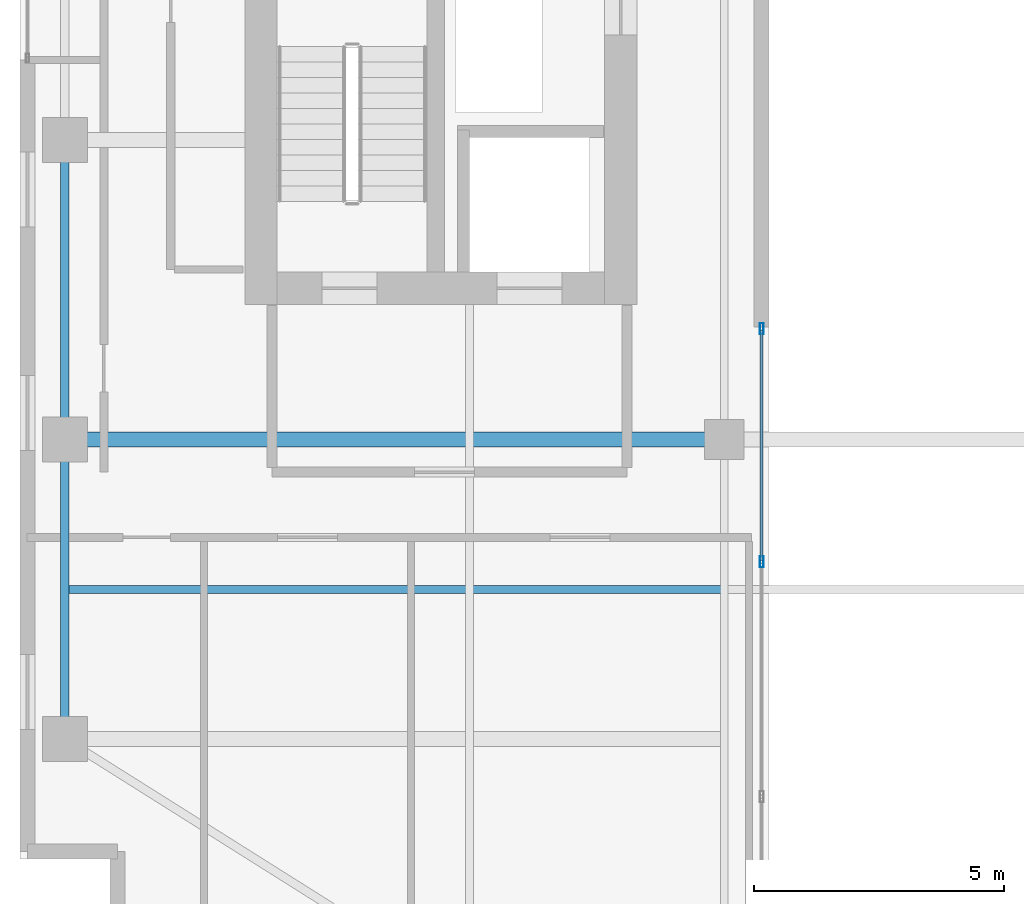
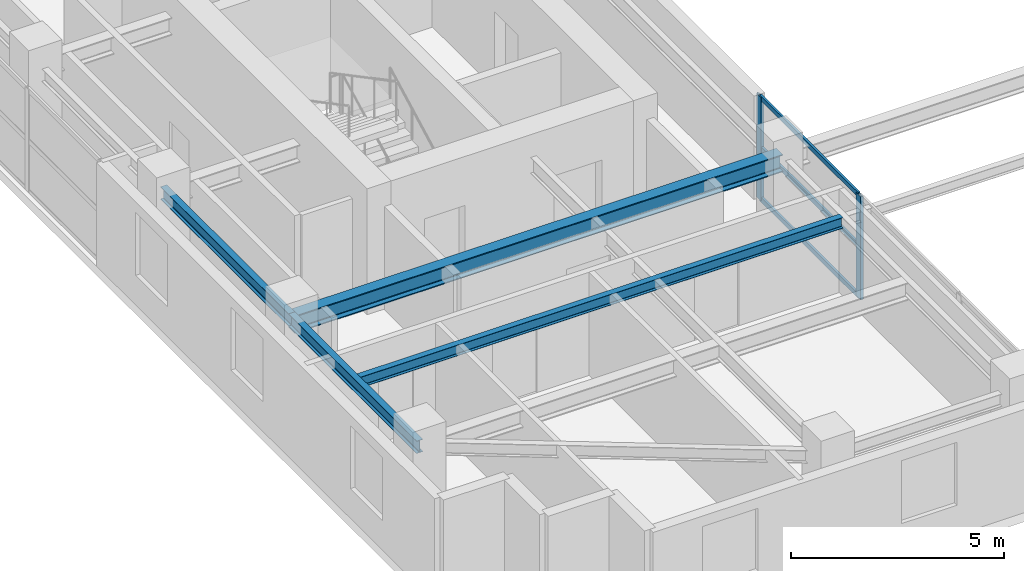
# One storey, part 3 of 21: 5 members, 4 beams, 1 element without a shape of its own.
"""IFC4 building model written with IfcOpenShell, lengths in metres."""

from ifc_helpers import new_model, si_unit, direction, frame, origin, origin_2d, place, context, subcontext, project, spatial, hollow_rectangle, i_section, extrude, source, transform, mapped, material, layer, layer_set, material_profile, profile_set, type_object, element, aggregate, save


model = new_model("IFC4")

# Units and contexts
model_context = context("Model", 3, precision=1e-05, world=origin(), true_north=direction((0.0, 1.0)))
body_context = subcontext(model_context, "Body", "Model", "MODEL_VIEW")
ifc_project = project(units=[si_unit("LENGTHUNIT", "METRE"), si_unit("AREAUNIT", "SQUARE_METRE"), si_unit("VOLUMEUNIT", "CUBIC_METRE"), si_unit("PLANEANGLEUNIT", "RADIAN"), si_unit("MASSUNIT", "GRAM", prefix="KILO")], contexts=[model_context])

# Site, building, storey
site_placement = place(None, origin())
site = spatial("IfcSite", under=ifc_project, at=site_placement, CompositionType="ELEMENT")
building_placement = place(site_placement, origin())
building = spatial("IfcBuilding", under=site, at=building_placement, Name="Khoralis Quay Care Tower", CompositionType="ELEMENT")
storey_placement = place(building_placement, frame((0.0, 0.0, 213.300048828125)))
storey = spatial("IfcBuildingStorey", under=building, at=storey_placement, Name="L56", CompositionType="ELEMENT", Elevation=213.300048828125)

# Beams
ifc_material_1 = material(Name="Steel S355", Category="steel")
ifc_material_profile_1 = material_profile(ifc_material_1, i_section(OverallWidth=0.169921875, OverallDepth=0.360107421875, WebThickness=0.008056640625, FlangeThickness=0.0126953125, FilletRadius=0.01806640625, at=origin_2d()), Name="Steel S355")
ifc_profile_set_1 = profile_set([ifc_material_profile_1], Name="Steel S355")
beam_type_1 = type_object("IfcBeamType", Name="BM-IPE360", PredefinedType="SPANDREL", material=ifc_profile_set_1)
shared_shape_1 = source(origin(), body_context, "Body", "SweptSolid", [
    extrude(i_section(OverallWidth=0.169921875, OverallDepth=0.360107421875, WebThickness=0.008056640625, FlangeThickness=0.0126953125, FilletRadius=0.01806640625, at=origin_2d()), origin(), (0.0, 0.0, 1.0), 6.0),
])
for number, where, z_axis, x_axis, name in (
    (1, (3.89990234375, 6.0, 2.77001953125), (0.0, 1.0, 0.0), (-1.0, 0.0, 0.0), "BM-TSP-L56-07"),
    (2, (3.89990234375, 12.0, 2.77001953125), (0.0, 1.0, 0.0), (-1.0, 0.0, 0.0), "BM-TSP-L56-08"),
):
    element("IfcBeam", number, at=place(storey_placement, frame(where, z_axis=z_axis, x_axis=x_axis)), inside=storey, type_object=beam_type_1, Name=name, PredefinedType="SPANDREL", context=body_context, shape_type="MappedRepresentation", body=[
        mapped(shared_shape_1, transform((0.0, 0.0, 0.0), scale=1.0)),
    ])
ifc_material_profile_2 = material_profile(ifc_material_1, i_section(OverallWidth=0.300048828125, OverallDepth=0.5, WebThickness=0.014404296875, FlangeThickness=0.028076171875, FilletRadius=0.027099609375, at=origin_2d()), Name="Steel S355")
ifc_profile_set_2 = profile_set([ifc_material_profile_2], Name="Steel S355")
beam_type_2 = type_object("IfcBeamType", Name="BM-HEB500", PredefinedType="BEAM", material=ifc_profile_set_2)
shared_shape_2 = source(origin(), body_context, "Body", "SweptSolid", [
    extrude(i_section(OverallWidth=0.300048828125, OverallDepth=0.5, WebThickness=0.014404296875, FlangeThickness=0.028076171875, FilletRadius=0.027099609375, at=origin_2d()), origin(), (0.0, 0.0, 1.0), 13.2001953125),
])
beam_1_placement = place(storey_placement, frame((3.89990234375, 12.0, 2.699951171875), z_axis=(1.0, 0.0, 0.0), x_axis=(0.0, 1.0, 0.0)))
element("IfcBeam", 3, at=beam_1_placement, inside=storey, type_object=beam_type_2, Name="BM-TGXW-L56-120", PredefinedType="BEAM", context=body_context, shape_type="MappedRepresentation", body=[
    mapped(shared_shape_2, transform((0.0, 0.0, 0.0), scale=1.0)),
])
ifc_material_profile_3 = material_profile(ifc_material_1, i_section(OverallWidth=0.1650390625, OverallDepth=0.31005859375, WebThickness=0.005859375, FlangeThickness=0.009765625, FilletRadius=0.011962890625, at=origin_2d()), Name="Steel S355")
ifc_profile_set_3 = profile_set([ifc_material_profile_3], Name="Steel S355")
beam_type_3 = type_object("IfcBeamType", Name="BM-W310X39", PredefinedType="JOIST", material=ifc_profile_set_3)
shared_shape_3 = source(origin(), body_context, "Body", "SweptSolid", [
    extrude(i_section(OverallWidth=0.1650390625, OverallDepth=0.31005859375, WebThickness=0.005859375, FlangeThickness=0.009765625, FilletRadius=0.011962890625, at=origin_2d()), origin(), (0.0, 0.0, 1.0), 13.06396484375),
])
beam_2_placement = place(storey_placement, frame((3.970947265625, 9.0, 2.794921875), z_axis=(1.0, 0.0, 0.0), x_axis=(0.0, 1.0, 0.0)))
element("IfcBeam", 4, at=beam_2_placement, inside=storey, type_object=beam_type_3, Name="BM-TJS-L56-21", PredefinedType="JOIST", context=body_context, shape_type="MappedRepresentation", body=[
    mapped(shared_shape_3, transform((0.0, 0.0, 0.0), scale=1.0)),
])

# Curtain wall, members
ifc_material_2 = material(Name="Pale anodised aluminium", Category="aluminium")
ifc_layer = layer(ifc_material_2, 0.18994140625)
ifc_layer_set = layer_set([ifc_layer], Name="Pale anodised aluminium")
curtain_wall_type = type_object("IfcCurtainWallType", Name="CW-SYS-PORTAL", PredefinedType="NOTDEFINED", material=ifc_layer_set)
curtain_wall_placement = place(storey_placement, origin())
curtain_wall = element("IfcCurtainWall", 5, at=curtain_wall_placement, inside=storey, type_object=curtain_wall_type, Name="L56 Unitised Curtain Wall CW-VP-L56-P1-S", PredefinedType="NOTDEFINED")
ifc_material_profile_4 = material_profile(ifc_material_2, hollow_rectangle(XDim=0.06005859375, YDim=0.139892578125, WallThickness=0.00390625, at=origin_2d()), Name="Pale anodised aluminium")
ifc_profile_set_4 = profile_set([ifc_material_profile_4], Name="Pale anodised aluminium")
member_type_1 = type_object("IfcMemberType", Name="CW-TRN-140", PredefinedType="USERDEFINED", material=ifc_profile_set_4)
shared_shape_4 = source(origin(), body_context, "Body", "SweptSolid", [
    extrude(hollow_rectangle(XDim=0.06005859375, YDim=0.139892578125, WallThickness=0.00390625, at=origin_2d()), origin(), (0.0, 0.0, 1.0), 4.60986328125),
])
member_1_placement = place(storey_placement, frame((17.85009765625, 9.580078125, 0.030029296875), z_axis=(0.0, 1.0, 0.0), x_axis=(-1.0, 0.0, 0.0)))
member_1 = element("IfcMember", 6, at=member_1_placement, type_object=member_type_1, Name="CW4 transom 3.1", ObjectType="TRANSOM", PredefinedType="USERDEFINED", context=body_context, shape_type="MappedRepresentation", body=[
    mapped(shared_shape_4, transform((0.0, 0.0, 0.0), scale=1.0)),
])
member_2_placement = place(storey_placement, frame((17.85009765625, 9.580078125, 1.474853515625), z_axis=(0.0, 1.0, 0.0), x_axis=(-1.0, 0.0, 0.0)))
member_2 = element("IfcMember", 7, at=member_2_placement, type_object=member_type_1, Name="CW4 transom 3.2", ObjectType="TRANSOM", PredefinedType="USERDEFINED", context=body_context, shape_type="MappedRepresentation", body=[
    mapped(shared_shape_4, transform((0.0, 0.0, 0.0), scale=1.0)),
])
member_3_placement = place(storey_placement, frame((17.85009765625, 9.580078125, 2.919921875), z_axis=(0.0, 1.0, 0.0), x_axis=(-1.0, 0.0, 0.0)))
member_3 = element("IfcMember", 8, at=member_3_placement, type_object=member_type_1, Name="CW4 transom 3.3", ObjectType="TRANSOM", PredefinedType="USERDEFINED", context=body_context, shape_type="MappedRepresentation", body=[
    mapped(shared_shape_4, transform((0.0, 0.0, 0.0), scale=1.0)),
])
ifc_material_profile_5 = material_profile(ifc_material_2, hollow_rectangle(XDim=0.074951171875, YDim=0.219970703125, WallThickness=0.00390625, at=origin_2d()), Name="Pale anodised aluminium")
ifc_profile_set_5 = profile_set([ifc_material_profile_5], Name="Pale anodised aluminium")
member_type_2 = type_object("IfcMemberType", Name="CW-MUL-220", PredefinedType="MULLION", material=ifc_profile_set_5)
shared_shape_5 = source(origin(), body_context, "Body", "SweptSolid", [
    extrude(hollow_rectangle(XDim=0.074951171875, YDim=0.219970703125, WallThickness=0.00390625, at=origin_2d()), origin(), (0.0, 0.0, 1.0), 2.949951171875),
])
member_4_placement = place(storey_placement, frame((17.85009765625, 9.550048828125, 0.0), z_axis=(0.0, 0.0, 1.0), x_axis=(-1.0, 0.0, 0.0)))
member_4 = element("IfcMember", 9, at=member_4_placement, type_object=member_type_2, Name="CW4 mullion 3", PredefinedType="MULLION", context=body_context, shape_type="MappedRepresentation", body=[
    mapped(shared_shape_5, transform((0.0, 0.0, 0.0), scale=1.0)),
])
member_5_placement = place(storey_placement, frame((17.85009765625, 14.219970703125, 0.0), z_axis=(0.0, 0.0, 1.0), x_axis=(-1.0, 0.0, 0.0)))
member_5 = element("IfcMember", 10, at=member_5_placement, type_object=member_type_2, Name="CW4 mullion 4", PredefinedType="MULLION", context=body_context, shape_type="MappedRepresentation", body=[
    mapped(shared_shape_5, transform((0.0, 0.0, 0.0), scale=1.0)),
])
aggregate(curtain_wall, [member_4, member_5, member_1, member_2, member_3])

save(model, "model.ifc")
